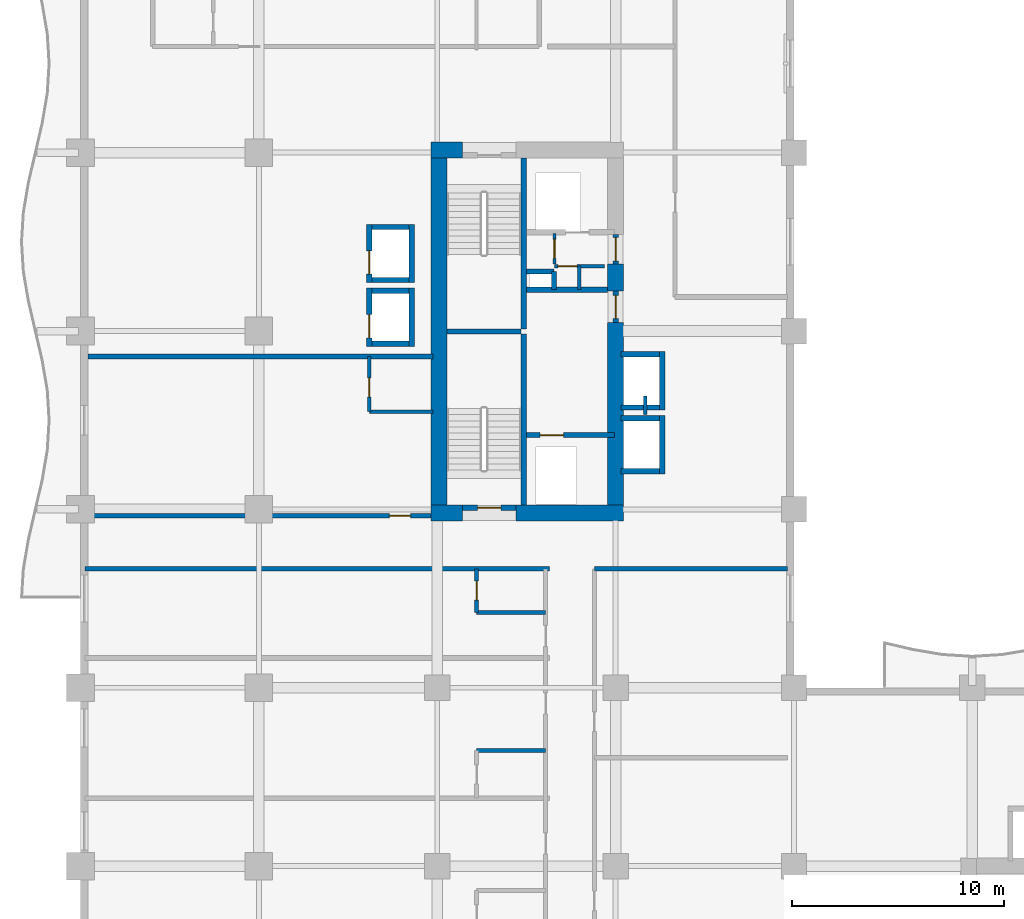
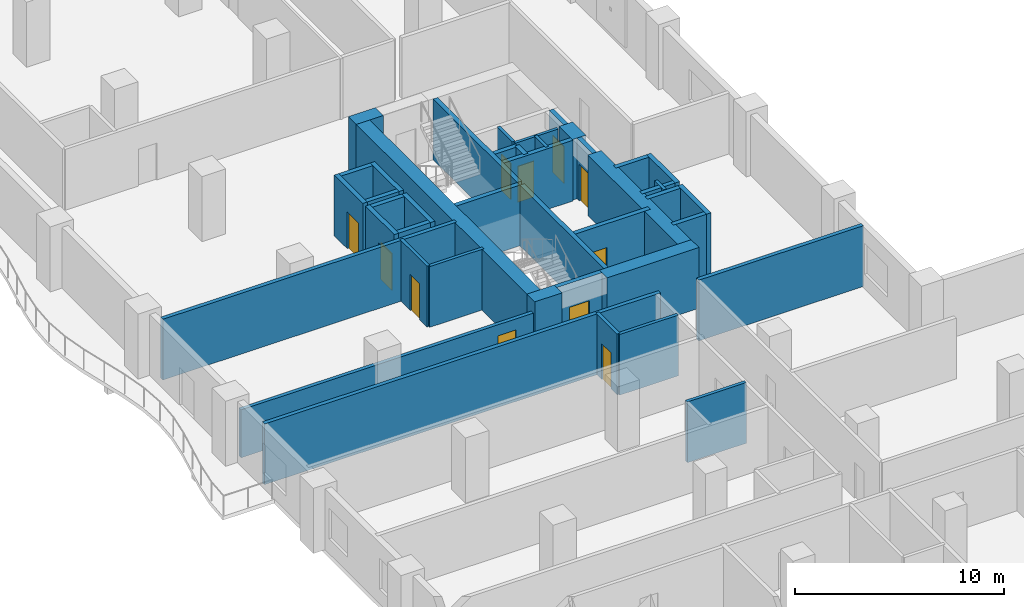
# One storey, part 11 of 21: 43 walls, 11 doors, 11 openings.
"""IFC4 building model written with IfcOpenShell, lengths in metres."""

from ifc_helpers import new_model, si_unit, direction, frame, frame_2d, origin, place, context, subcontext, project, spatial, rectangle, extrude, material, layer, layer_set, type_object, element, fill, save


model = new_model("IFC4")

# Units and contexts
model_context = context("Model", 3, precision=1e-05, world=origin(), true_north=direction((0.0, 1.0)))
body_context = subcontext(model_context, "Body", "Model", "MODEL_VIEW")
ifc_project = project(units=[si_unit("LENGTHUNIT", "METRE"), si_unit("AREAUNIT", "SQUARE_METRE"), si_unit("VOLUMEUNIT", "CUBIC_METRE"), si_unit("PLANEANGLEUNIT", "RADIAN"), si_unit("MASSUNIT", "GRAM", prefix="KILO")], contexts=[model_context])

# Site, building, storey
site_placement = place(None, origin())
site = spatial("IfcSite", under=ifc_project, at=site_placement, CompositionType="ELEMENT")
building_placement = place(site_placement, origin())
building = spatial("IfcBuilding", under=site, at=building_placement, Name="Koriwani Terraces Tower", CompositionType="ELEMENT")
storey_placement = place(building_placement, frame((0.0, 0.0, 111.39990234375)))
storey = spatial("IfcBuildingStorey", under=building, at=storey_placement, Name="L26", CompositionType="ELEMENT", Elevation=111.39990234375)

# Walls
ifc_material_1 = material(Name="Concrete C60/75", Category="concrete")
ifc_layer_1 = layer(ifc_material_1, 0.75, Name="Concrete C60/75")
ifc_layer_set_1 = layer_set([ifc_layer_1], Name="Concrete C60/75")
wall_type_1 = type_object("IfcWallType", Name="WALL_CORE_RC_750", PredefinedType="SHEAR", material=ifc_layer_set_1)
wall_1_placement = place(storey_placement, frame((16.5, 41.824951171875, 0.0), z_axis=(0.0, 0.0, 1.0), x_axis=(1.0, 0.0, 0.0)))
element("IfcWall", 1, at=wall_1_placement, inside=storey, type_object=wall_type_1, Name="L26 West Split Core Shear Wall S1", PredefinedType="SHEAR", context=body_context, shape_type="SweptSolid", body=[
    extrude(rectangle(XDim=1.5, YDim=0.75, at=frame_2d((0.75, 0.0))), origin(), (0.0, 0.0, 1.0), 3.550048828125),
])
wall_2_placement = place(storey_placement, frame((20.5, 41.824951171875, 0.0), z_axis=(0.0, 0.0, 1.0), x_axis=(1.0, 0.0, 0.0)))
element("IfcWall", 2, at=wall_2_placement, inside=storey, type_object=wall_type_1, Name="L26 West Split Core Shear Wall S2", PredefinedType="SHEAR", context=body_context, shape_type="SweptSolid", body=[
    extrude(rectangle(XDim=5.074951171875, YDim=0.75, at=frame_2d((2.53759765625, 0.0))), origin(), (0.0, 0.0, 1.0), 3.550048828125),
])
wall_3_placement = place(storey_placement, frame((16.5, 58.925048828125, 0.0), z_axis=(0.0, 0.0, 1.0), x_axis=(1.0, 0.0, 0.0)))
element("IfcWall", 3, at=wall_3_placement, inside=storey, type_object=wall_type_1, Name="L26 West Split Core Shear Wall N1", PredefinedType="SHEAR", context=body_context, shape_type="SweptSolid", body=[
    extrude(rectangle(XDim=1.5, YDim=0.75, at=frame_2d((0.75, 0.0))), origin(), (0.0, 0.0, 1.0), 3.550048828125),
])
wall_4_placement = place(storey_placement, frame((16.875, 42.199951171875, 0.0), z_axis=(0.0, 0.0, 1.0), x_axis=(0.0, 1.0, 0.0)))
element("IfcWall", 4, at=wall_4_placement, inside=storey, type_object=wall_type_1, Name="L26 West Split Core Shear Wall W1", PredefinedType="SHEAR", context=body_context, shape_type="SweptSolid", body=[
    extrude(rectangle(XDim=16.35009765625, YDim=0.75, at=frame_2d((8.175048828125, 0.0))), origin(), (0.0, 0.0, 1.0), 3.550048828125),
])
wall_5_placement = place(storey_placement, frame((25.199951171875, 42.199951171875, 0.0), z_axis=(0.0, 0.0, 1.0), x_axis=(0.0, 1.0, 0.0)))
element("IfcWall", 5, at=wall_5_placement, inside=storey, type_object=wall_type_1, Name="L26 West Split Core Shear Wall E1", PredefinedType="SHEAR", context=body_context, shape_type="SweptSolid", body=[
    extrude(rectangle(XDim=8.60009765625, YDim=0.75, at=frame_2d((4.300048828125, 0.0))), origin(), (0.0, 0.0, 1.0), 3.550048828125),
])
wall_6_placement = place(storey_placement, frame((25.199951171875, 52.280029296875, 0.0), z_axis=(0.0, 0.0, 1.0), x_axis=(0.0, 1.0, 0.0)))
element("IfcWall", 6, at=wall_6_placement, inside=storey, type_object=wall_type_1, Name="L26 West Split Core Shear Wall E2", PredefinedType="SHEAR", context=body_context, shape_type="SweptSolid", body=[
    extrude(rectangle(XDim=1.27001953125, YDim=0.75, at=frame_2d((0.635009765625, 0.0))), origin(), (0.0, 0.0, 1.0), 3.550048828125),
])

# Wall, opening, door
ifc_material_2 = material(Name="Autoclaved Cellular Concrete Blockwork", Category="masonry")
ifc_layer_2 = layer(ifc_material_2, 0.199951171875, Name="Autoclaved Cellular Concrete Blockwork")
ifc_layer_set_2 = layer_set([ifc_layer_2], Name="Autoclaved Cellular Concrete Blockwork")
wall_type_2 = type_object("IfcWallType", Name="WALL_CORRIDOR_200", PredefinedType="PARTITIONING", material=ifc_layer_set_2)
wall_7_placement = place(storey_placement, frame((0.35009765625, 41.699951171875, 0.0), z_axis=(0.0, 0.0, 1.0), x_axis=(1.0, 0.0, 0.0)))
wall_7 = element("IfcWall", 7, at=wall_7_placement, inside=storey, type_object=wall_type_2, Name="L26 Interior Wall WREC-WS-L26", PredefinedType="PARTITIONING", context=body_context, shape_type="SweptSolid", body=[
    extrude(rectangle(XDim=16.25, YDim=0.199951171875, at=frame_2d((8.125, 0.0))), origin(), (0.0, 0.0, 1.0), 2.800048828125),
])
opening_1_placement = place(wall_7_placement, frame((14.199951171875, 0.0, 0.0)))
opening_1 = element("IfcOpeningElement", 8, at=opening_1_placement, cuts=wall_7, Name="Opening D-05", PredefinedType="OPENING", context=body_context, shape_type="SweptSolid", body=[
    extrude(rectangle(XDim=1.0, YDim=2.14990234375, at=frame_2d((0.5, 1.074951171875))), frame((0.0, 0.10986328125, 0.0), z_axis=(0.0, -1.0, 0.0), x_axis=(1.0, 0.0, 0.0)), (0.0, 0.0, 1.0), 0.219970703125),
])
ifc_material_3 = material(Name="Architectural Oak Fire Door", Category="wood")
door_type_1 = type_object("IfcDoorType", Name="DOOR_SUITE_ENTRY_1000X2150", OperationType="NOTDEFINED", PredefinedType="DOOR", material=ifc_material_3)
door_1_placement = place(opening_1_placement, origin())
door_1 = element("IfcDoor", 9, at=door_1_placement, inside=storey, type_object=door_type_1, Name="L26 Reclaimed West Suite Door", OperationType="SINGLE_SWING_RIGHT", OverallHeight=2.14990234375, OverallWidth=1.0, PredefinedType="DOOR", context=body_context, shape_type="SweptSolid", body=[
    extrude(rectangle(XDim=1.0, YDim=2.14990234375, at=frame_2d((0.5, 1.074951171875))), frame((0.0, 0.02490234375, 0.0), z_axis=(0.0, -1.0, 0.0), x_axis=(1.0, 0.0, 0.0)), (0.0, 0.0, 1.0), 0.050048828125),
])
fill(opening_1, door_1)

# Walls
ifc_layer_3 = layer(ifc_material_2, 0.219970703125, Name="Autoclaved Cellular Concrete Blockwork")
ifc_layer_set_3 = layer_set([ifc_layer_3], Name="Autoclaved Cellular Concrete Blockwork")
wall_type_3 = type_object("IfcWallType", Name="WALL_DEMISING_220", PredefinedType="PARTITIONING", material=ifc_layer_set_3)
wall_8_placement = place(storey_placement, frame((0.35009765625, 49.199951171875, 0.0), z_axis=(0.0, 0.0, 1.0), x_axis=(1.0, 0.0, 0.0)))
element("IfcWall", 10, at=wall_8_placement, inside=storey, type_object=wall_type_3, Name="L26 Interior Wall WREC-WN-L26", PredefinedType="PARTITIONING", context=body_context, shape_type="SweptSolid", body=[
    extrude(rectangle(XDim=16.25, YDim=0.219970703125, at=frame_2d((8.125, 0.0))), origin(), (0.0, 0.0, 1.0), 3.550048828125),
])
wall_9_placement = place(storey_placement, frame((24.199951171875, 39.199951171875, 0.0), z_axis=(0.0, 0.0, 1.0), x_axis=(1.0, 0.0, 0.0)))
element("IfcWall", 11, at=wall_9_placement, inside=storey, type_object=wall_type_3, Name="L26 Interior Wall WIC2-N-L26", PredefinedType="PARTITIONING", context=body_context, shape_type="SweptSolid", body=[
    extrude(rectangle(XDim=9.10009765625, YDim=0.219970703125, at=frame_2d((4.550048828125, 0.0))), origin(), (0.0, 0.0, 1.0), 3.550048828125),
])
wall_10_placement = place(storey_placement, frame((0.199951171875, 39.199951171875, 0.0), z_axis=(0.0, 0.0, 1.0), x_axis=(1.0, 0.0, 0.0)))
element("IfcWall", 12, at=wall_10_placement, inside=storey, type_object=wall_type_3, Name="L26 Interior Wall WDEME-L26-NW", PredefinedType="PARTITIONING", context=body_context, shape_type="SweptSolid", body=[
    extrude(rectangle(XDim=21.880126953125, YDim=0.219970703125, at=frame_2d((10.93994140625, 0.0))), origin(), (0.0, 0.0, 1.0), 3.550048828125),
])
ifc_material_4 = material(Name="Fire-Rated Acoustic Gypsum Partition", Category="masonry")
ifc_layer_4 = layer(ifc_material_4, 0.179931640625, Name="Fire-Rated Acoustic Gypsum Partition")
ifc_layer_set_4 = layer_set([ifc_layer_4], Name="Fire-Rated Acoustic Gypsum Partition")
wall_type_4 = type_object("IfcWallType", Name="WALL_PLUMBING_180", PredefinedType="PLUMBINGWALL", material=ifc_layer_set_4)
wall_11_placement = place(storey_placement, frame((13.60009765625, 46.60009765625, 0.0), z_axis=(0.0, 0.0, 1.0), x_axis=(1.0, 0.0, 0.0)))
element("IfcWall", 13, at=wall_11_placement, inside=storey, type_object=wall_type_4, Name="L26 Interior Wall WREC-WB1-L26", PredefinedType="PLUMBINGWALL", context=body_context, shape_type="SweptSolid", body=[
    extrude(rectangle(XDim=3.0, YDim=0.179931640625, at=frame_2d((1.5, 0.0))), origin(), (0.0, 0.0, 1.0), 3.550048828125),
])

# Wall, opening, door
wall_12_placement = place(storey_placement, frame((13.60009765625, 46.60009765625, 0.0), z_axis=(0.0, 0.0, 1.0), x_axis=(0.0, 1.0, 0.0)))
wall_12 = element("IfcWall", 14, at=wall_12_placement, inside=storey, type_object=wall_type_4, Name="L26 Interior Wall WREC-WB2-L26", PredefinedType="PLUMBINGWALL", context=body_context, shape_type="SweptSolid", body=[
    extrude(rectangle(XDim=2.599853515625, YDim=0.179931640625, at=frame_2d((1.2998046875, 0.0))), origin(), (0.0, 0.0, 1.0), 3.550048828125),
])
opening_2_placement = place(wall_12_placement, frame((0.699951171875, 0.0, 0.0)))
opening_2 = element("IfcOpeningElement", 15, at=opening_2_placement, cuts=wall_12, Name="Opening D-07", PredefinedType="OPENING", context=body_context, shape_type="SweptSolid", body=[
    extrude(rectangle(XDim=0.89990234375, YDim=2.10009765625, at=frame_2d((0.449951171875, 1.050048828125))), frame((0.0, 0.10009765625, 0.0), z_axis=(0.0, -1.0, 0.0), x_axis=(1.0, 0.0, 0.0)), (0.0, 0.0, 1.0), 0.199951171875),
])
door_type_2 = type_object("IfcDoorType", Name="DOOR_BATH_INT_900X2100", OperationType="NOTDEFINED", PredefinedType="DOOR", material=ifc_material_3)
door_2_placement = place(opening_2_placement, origin())
door_2 = element("IfcDoor", 16, at=door_2_placement, inside=storey, type_object=door_type_2, Name="L26 Reclaimed Suite En-Suite Door", OperationType="SINGLE_SWING_LEFT", OverallHeight=2.10009765625, OverallWidth=0.89990234375, PredefinedType="DOOR", context=body_context, shape_type="SweptSolid", body=[
    extrude(rectangle(XDim=0.89990234375, YDim=2.10009765625, at=frame_2d((0.449951171875, 1.050048828125))), frame((0.0, 0.02490234375, 0.0), z_axis=(0.0, -1.0, 0.0), x_axis=(1.0, 0.0, 0.0)), (0.0, 0.0, 1.0), 0.050048828125),
])
fill(opening_2, door_2)

# Wall
wall_13_placement = place(storey_placement, frame((18.64990234375, 30.64990234375, 0.0), z_axis=(0.0, 0.0, 1.0), x_axis=(1.0, 0.0, 0.0)))
element("IfcWall", 17, at=wall_13_placement, inside=storey, type_object=wall_type_4, Name="L26 Interior Wall WBTH2-L26-NW-1", PredefinedType="PLUMBINGWALL", context=body_context, shape_type="SweptSolid", body=[
    extrude(rectangle(XDim=3.25, YDim=0.179931640625, at=frame_2d((1.625, 0.0))), origin(), (0.0, 0.0, 1.0), 3.550048828125),
])

# Wall, opening, door
wall_14_placement = place(storey_placement, frame((18.64990234375, 37.14990234375, 0.0), z_axis=(0.0, 0.0, 1.0), x_axis=(0.0, 1.0, 0.0)))
wall_14 = element("IfcWall", 18, at=wall_14_placement, inside=storey, type_object=wall_type_4, Name="L26 Interior Wall WBTH1-L26-NW-2", PredefinedType="PLUMBINGWALL", context=body_context, shape_type="SweptSolid", body=[
    extrude(rectangle(XDim=2.050048828125, YDim=0.179931640625, at=frame_2d((1.02490234375, 0.0))), origin(), (0.0, 0.0, 1.0), 3.550048828125),
])
opening_3_placement = place(wall_14_placement, frame((0.574951171875, 0.0, 0.0)))
opening_3 = element("IfcOpeningElement", 19, at=opening_3_placement, cuts=wall_14, Name="Opening D-07", PredefinedType="OPENING", context=body_context, shape_type="SweptSolid", body=[
    extrude(rectangle(XDim=0.89990234375, YDim=2.10009765625, at=frame_2d((0.449951171875, 1.050048828125))), frame((0.0, 0.10009765625, 0.0), z_axis=(0.0, -1.0, 0.0), x_axis=(1.0, 0.0, 0.0)), (0.0, 0.0, 1.0), 0.199951171875),
])
door_3_placement = place(opening_3_placement, origin())
door_3 = element("IfcDoor", 20, at=door_3_placement, inside=storey, type_object=door_type_2, Name="En-Suite Bathroom 26NW3 Door", OperationType="SINGLE_SWING_LEFT", OverallHeight=2.10009765625, OverallWidth=0.89990234375, PredefinedType="DOOR", context=body_context, shape_type="SweptSolid", body=[
    extrude(rectangle(XDim=0.89990234375, YDim=2.10009765625, at=frame_2d((0.449951171875, 1.050048828125))), frame((0.0, 0.02490234375, 0.0), z_axis=(0.0, -1.0, 0.0), x_axis=(1.0, 0.0, 0.0)), (0.0, 0.0, 1.0), 0.050048828125),
])
fill(opening_3, door_3)

# Walls
wall_15_placement = place(storey_placement, frame((18.64990234375, 37.14990234375, 0.0), z_axis=(0.0, 0.0, 1.0), x_axis=(1.0, 0.0, 0.0)))
element("IfcWall", 21, at=wall_15_placement, inside=storey, type_object=wall_type_4, Name="L26 Interior Wall WBTH2-L26-NW-2", PredefinedType="PLUMBINGWALL", context=body_context, shape_type="SweptSolid", body=[
    extrude(rectangle(XDim=3.25, YDim=0.179931640625, at=frame_2d((1.625, 0.0))), origin(), (0.0, 0.0, 1.0), 3.550048828125),
])
ifc_material_5 = material(Name="Concrete C40/50", Category="concrete")
ifc_layer_5 = layer(ifc_material_5, 0.25, Name="Concrete C40/50")
ifc_layer_set_5 = layer_set([ifc_layer_5], Name="Concrete C40/50")
wall_type_5 = type_object("IfcWallType", Name="WALL_SHAFT_RATED_250", PredefinedType="SOLIDWALL", material=ifc_layer_set_5)
for number, where, z_axis, x_axis, name in (
    (22, (20.875, 42.199951171875, 0.0), (0.0, 0.0, 1.0), (0.0, 1.0, 0.0), "L26 West Split Core Web Wall MID1"),
    (23, (20.875, 50.5, 0.0), (0.0, 0.0, 1.0), (0.0, 1.0, 0.0), "L26 West Split Core Web Wall MID2"),
):
    element("IfcWall", number, at=place(storey_placement, frame(where, z_axis=z_axis, x_axis=x_axis)), inside=storey, type_object=wall_type_5, Name=name, PredefinedType="SOLIDWALL", context=body_context, shape_type="SweptSolid", body=[
        extrude(rectangle(XDim=8.050048828125, YDim=0.25, at=frame_2d((4.02490234375, 0.0))), origin(), (0.0, 0.0, 1.0), 3.550048828125),
    ])
wall_16_placement = place(storey_placement, frame((17.25, 50.375, 0.0), z_axis=(0.0, 0.0, 1.0), x_axis=(1.0, 0.0, 0.0)))
element("IfcWall", 24, at=wall_16_placement, inside=storey, type_object=wall_type_5, Name="L26 West Split Core Stair Dividing Wall", PredefinedType="SOLIDWALL", context=body_context, shape_type="SweptSolid", body=[
    extrude(rectangle(XDim=3.5, YDim=0.25, at=frame_2d((1.75, 0.0))), origin(), (0.0, 0.0, 1.0), 3.550048828125),
])

# Wall, opening, door
wall_17_placement = place(storey_placement, frame((18.0, 42.074951171875, 0.0), z_axis=(0.0, 0.0, 1.0), x_axis=(1.0, 0.0, 0.0)))
wall_17 = element("IfcWall", 25, at=wall_17_placement, inside=storey, type_object=wall_type_5, Name="L26 Interior Wall WIN-CW-L26-STS", PredefinedType="SOLIDWALL", context=body_context, shape_type="SweptSolid", body=[
    extrude(rectangle(XDim=2.5, YDim=0.25, at=frame_2d((1.25, 0.0))), origin(), (0.0, 0.0, 1.0), 3.550048828125),
])
opening_4_placement = place(wall_17_placement, frame((0.699951171875, 0.0, 0.0)))
opening_4 = element("IfcOpeningElement", 26, at=opening_4_placement, cuts=wall_17, Name="Opening D-03", PredefinedType="OPENING", context=body_context, shape_type="SweptSolid", body=[
    extrude(rectangle(XDim=1.10009765625, YDim=2.14990234375, at=frame_2d((0.550048828125, 1.074951171875))), frame((0.0, 0.135009765625, 0.0), z_axis=(0.0, -1.0, 0.0), x_axis=(1.0, 0.0, 0.0)), (0.0, 0.0, 1.0), 0.27001953125),
])
ifc_material_6 = material(Name="Steel ASTM A572 Grade 50", Category="steel")
door_type_3 = type_object("IfcDoorType", Name="DOOR_STAIR_FIRE_1100X2150", OperationType="NOTDEFINED", PredefinedType="DOOR", material=ifc_material_6)
door_4_placement = place(opening_4_placement, origin())
door_4 = element("IfcDoor", 27, at=door_4_placement, inside=storey, type_object=door_type_3, Name="L26 Exit Stair ST-W1 Door", OperationType="SINGLE_SWING_RIGHT", OverallHeight=2.14990234375, OverallWidth=1.10009765625, PredefinedType="DOOR", context=body_context, shape_type="SweptSolid", body=[
    extrude(rectangle(XDim=1.10009765625, YDim=2.14990234375, at=frame_2d((0.550048828125, 1.074951171875))), frame((0.0, 0.02490234375, 0.0), z_axis=(0.0, -1.0, 0.0), x_axis=(1.0, 0.0, 0.0)), (0.0, 0.0, 1.0), 0.050048828125),
])
fill(opening_4, door_4)

wall_18_placement = place(storey_placement, frame((21.0, 45.5, 0.0), z_axis=(0.0, 0.0, 1.0), x_axis=(1.0, 0.0, 0.0)))
wall_18 = element("IfcWall", 28, at=wall_18_placement, inside=storey, type_object=wall_type_5, Name="L26 Interior Wall WIN-CW-L26-FE", PredefinedType="SOLIDWALL", context=body_context, shape_type="SweptSolid", body=[
    extrude(rectangle(XDim=4.14990234375, YDim=0.25, at=frame_2d((2.074951171875, 0.0))), origin(), (0.0, 0.0, 1.0), 3.550048828125),
])
opening_5_placement = place(wall_18_placement, frame((0.64990234375, 0.0, 0.0)))
opening_5 = element("IfcOpeningElement", 29, at=opening_5_placement, cuts=wall_18, Name="Opening LD-01", PredefinedType="OPENING", context=body_context, shape_type="SweptSolid", body=[
    extrude(rectangle(XDim=1.10009765625, YDim=2.14990234375, at=frame_2d((0.550048828125, 1.074951171875))), frame((0.0, 0.135009765625, 0.0), z_axis=(0.0, -1.0, 0.0), x_axis=(1.0, 0.0, 0.0)), (0.0, 0.0, 1.0), 0.27001953125),
])
door_type_4 = type_object("IfcDoorType", Name="DOOR_LIFT_LANDING_1100X2200", OperationType="NOTDEFINED", PredefinedType="DOOR", material=ifc_material_6)
door_5_placement = place(opening_5_placement, origin())
door_5 = element("IfcDoor", 30, at=door_5_placement, inside=storey, type_object=door_type_4, Name="L26 Firefighting Lift FE-01 Landing Door", OperationType="SLIDING_TO_LEFT", OverallHeight=2.14990234375, OverallWidth=1.10009765625, PredefinedType="DOOR", context=body_context, shape_type="SweptSolid", body=[
    extrude(rectangle(XDim=1.10009765625, YDim=2.14990234375, at=frame_2d((0.550048828125, 1.074951171875))), frame((0.0, 0.02490234375, 0.0), z_axis=(0.0, -1.0, 0.0), x_axis=(1.0, 0.0, 0.0)), (0.0, 0.0, 1.0), 0.050048828125),
])
fill(opening_5, door_5)

wall_19_placement = place(storey_placement, frame((25.199951171875, 50.800048828125, 0.0), z_axis=(0.0, 0.0, 1.0), x_axis=(0.0, 1.0, 0.0)))
wall_19 = element("IfcWall", 31, at=wall_19_placement, inside=storey, type_object=wall_type_5, Name="L26 Interior Wall WIN-CW-L26-EP", PredefinedType="SOLIDWALL", context=body_context, shape_type="SweptSolid", body=[
    extrude(rectangle(XDim=1.47998046875, YDim=0.25, at=frame_2d((0.739990234375, 0.0))), origin(), (0.0, 0.0, 1.0), 3.550048828125),
])
opening_6_placement = place(wall_19_placement, frame((0.179931640625, 0.0, 0.0)))
opening_6 = element("IfcOpeningElement", 32, at=opening_6_placement, cuts=wall_19, Name="Opening D-03", PredefinedType="OPENING", context=body_context, shape_type="SweptSolid", body=[
    extrude(rectangle(XDim=1.10009765625, YDim=2.14990234375, at=frame_2d((0.550048828125, 1.074951171875))), frame((0.0, 0.135009765625, 0.0), z_axis=(0.0, -1.0, 0.0), x_axis=(1.0, 0.0, 0.0)), (0.0, 0.0, 1.0), 0.27001953125),
])
door_6_placement = place(opening_6_placement, origin())
door_6 = element("IfcDoor", 33, at=door_6_placement, inside=storey, type_object=door_type_3, Name="L26 West Firefighting Lobby Door", OperationType="SINGLE_SWING_RIGHT", OverallHeight=2.14990234375, OverallWidth=1.10009765625, PredefinedType="DOOR", context=body_context, shape_type="SweptSolid", body=[
    extrude(rectangle(XDim=1.10009765625, YDim=2.14990234375, at=frame_2d((0.550048828125, 1.074951171875))), frame((0.0, 0.02490234375, 0.0), z_axis=(0.0, -1.0, 0.0), x_axis=(1.0, 0.0, 0.0)), (0.0, 0.0, 1.0), 0.050048828125),
])
fill(opening_6, door_6)

# Wall
wall_20_placement = place(storey_placement, frame((21.0, 52.340087890625, 0.0), z_axis=(0.0, 0.0, 1.0), x_axis=(1.0, 0.0, 0.0)))
element("IfcWall", 34, at=wall_20_placement, inside=storey, type_object=wall_type_5, Name="L26 Interior Wall WIN-CW-L26-FFN", PredefinedType="SOLIDWALL", context=body_context, shape_type="SweptSolid", body=[
    extrude(rectangle(XDim=3.824951171875, YDim=0.25, at=frame_2d((1.91259765625, 0.0))), origin(), (0.0, 0.0, 1.0), 3.550048828125),
])

# Wall, opening, door
wall_21_placement = place(storey_placement, frame((25.199951171875, 53.550048828125, 0.0), z_axis=(0.0, 0.0, 1.0), x_axis=(0.0, 1.0, 0.0)))
wall_21 = element("IfcWall", 35, at=wall_21_placement, inside=storey, type_object=wall_type_5, Name="L26 Interior Wall WIN-CW-L26-EP2", PredefinedType="SOLIDWALL", context=body_context, shape_type="SweptSolid", body=[
    extrude(rectangle(XDim=1.39990234375, YDim=0.25, at=frame_2d((0.699951171875, 0.0))), origin(), (0.0, 0.0, 1.0), 3.550048828125),
])
opening_7_placement = place(wall_21_placement, frame((0.14990234375, 0.0, 0.0)))
opening_7 = element("IfcOpeningElement", 36, at=opening_7_placement, cuts=wall_21, Name="Opening D-03", PredefinedType="OPENING", context=body_context, shape_type="SweptSolid", body=[
    extrude(rectangle(XDim=1.10009765625, YDim=2.14990234375, at=frame_2d((0.550048828125, 1.074951171875))), frame((0.0, 0.135009765625, 0.0), z_axis=(0.0, -1.0, 0.0), x_axis=(1.0, 0.0, 0.0)), (0.0, 0.0, 1.0), 0.27001953125),
])
door_7_placement = place(opening_7_placement, origin())
door_7 = element("IfcDoor", 37, at=door_7_placement, inside=storey, type_object=door_type_3, Name="L26 West Goods Lift Lobby Door", OperationType="SINGLE_SWING_LEFT", OverallHeight=2.14990234375, OverallWidth=1.10009765625, PredefinedType="DOOR", context=body_context, shape_type="SweptSolid", body=[
    extrude(rectangle(XDim=1.10009765625, YDim=2.14990234375, at=frame_2d((0.550048828125, 1.074951171875))), frame((0.0, 0.02490234375, 0.0), z_axis=(0.0, -1.0, 0.0), x_axis=(1.0, 0.0, 0.0)), (0.0, 0.0, 1.0), 0.050048828125),
])
fill(opening_7, door_7)

# Walls
wall_22_placement = place(storey_placement, frame((21.0, 53.199951171875, 0.0), z_axis=(0.0, 0.0, 1.0), x_axis=(1.0, 0.0, 0.0)))
element("IfcWall", 38, at=wall_22_placement, inside=storey, type_object=wall_type_5, Name="L26 Interior Wall WIN-CW-L26-RS1", PredefinedType="SOLIDWALL", context=body_context, shape_type="SweptSolid", body=[
    extrude(rectangle(XDim=1.300048828125, YDim=0.25, at=frame_2d((0.64990234375, 0.0))), origin(), (0.0, 0.0, 1.0), 3.550048828125),
])
wall_23_placement = place(storey_placement, frame((22.300048828125, 52.360107421875, 0.0), z_axis=(0.0, 0.0, 1.0), x_axis=(0.0, 1.0, 0.0)))
element("IfcWall", 39, at=wall_23_placement, inside=storey, type_object=wall_type_5, Name="L26 Interior Wall WIN-CW-L26-RS2", PredefinedType="SOLIDWALL", context=body_context, shape_type="SweptSolid", body=[
    extrude(rectangle(XDim=0.83984375, YDim=0.25, at=frame_2d((0.419921875, 0.0))), origin(), (0.0, 0.0, 1.0), 3.550048828125),
])

# Wall, opening, door
wall_24_placement = place(storey_placement, frame((13.60009765625, 49.675048828125, 0.0), z_axis=(0.0, 0.0, 1.0), x_axis=(0.0, 1.0, 0.0)))
wall_24 = element("IfcWall", 40, at=wall_24_placement, inside=storey, type_object=wall_type_5, Name="L26 Interior Wall WIN-LF-PE-M1-L26-F", PredefinedType="SOLIDWALL", context=body_context, shape_type="SweptSolid", body=[
    extrude(rectangle(XDim=2.75, YDim=0.25, at=frame_2d((1.375, 0.0))), origin(), (0.0, 0.0, 1.0), 3.550048828125),
])
opening_8_placement = place(wall_24_placement, frame((0.39990234375, 0.0, 0.0)))
opening_8 = element("IfcOpeningElement", 41, at=opening_8_placement, cuts=wall_24, Name="Opening LD-01", PredefinedType="OPENING", context=body_context, shape_type="SweptSolid", body=[
    extrude(rectangle(XDim=1.10009765625, YDim=2.14990234375, at=frame_2d((0.550048828125, 1.074951171875))), frame((0.0, 0.135009765625, 0.0), z_axis=(0.0, -1.0, 0.0), x_axis=(1.0, 0.0, 0.0)), (0.0, 0.0, 1.0), 0.27001953125),
])
door_8_placement = place(opening_8_placement, origin())
door_8 = element("IfcDoor", 42, at=door_8_placement, inside=storey, type_object=door_type_4, Name="L26 Passenger Lift PE-M1 Landing Door", OperationType="SLIDING_TO_LEFT", OverallHeight=2.14990234375, OverallWidth=1.10009765625, PredefinedType="DOOR", context=body_context, shape_type="SweptSolid", body=[
    extrude(rectangle(XDim=1.10009765625, YDim=2.14990234375, at=frame_2d((0.550048828125, 1.074951171875))), frame((0.0, 0.02490234375, 0.0), z_axis=(0.0, -1.0, 0.0), x_axis=(1.0, 0.0, 0.0)), (0.0, 0.0, 1.0), 0.050048828125),
])
fill(opening_8, door_8)

# Walls
wall_25_placement = place(storey_placement, frame((15.60009765625, 49.675048828125, 0.0), z_axis=(0.0, 0.0, 1.0), x_axis=(0.0, 1.0, 0.0)))
element("IfcWall", 43, at=wall_25_placement, inside=storey, type_object=wall_type_5, Name="L26 Interior Wall WIN-LF-PE-M1-L26-B", PredefinedType="SOLIDWALL", context=body_context, shape_type="SweptSolid", body=[
    extrude(rectangle(XDim=2.75, YDim=0.25, at=frame_2d((1.375, 0.0))), origin(), (0.0, 0.0, 1.0), 3.550048828125),
])
for number, where, z_axis, x_axis, name in (
    (44, (13.72509765625, 49.800048828125, 0.0), (0.0, 0.0, 1.0), (1.0, 0.0, 0.0), "L26 Interior Wall WIN-LF-PE-M1-L26-S"),
    (45, (13.72509765625, 52.300048828125, 0.0), (0.0, 0.0, 1.0), (1.0, 0.0, 0.0), "L26 Interior Wall WIN-LF-PE-M1-L26-N"),
):
    element("IfcWall", number, at=place(storey_placement, frame(where, z_axis=z_axis, x_axis=x_axis)), inside=storey, type_object=wall_type_5, Name=name, PredefinedType="SOLIDWALL", context=body_context, shape_type="SweptSolid", body=[
        extrude(rectangle(XDim=1.75, YDim=0.25, at=frame_2d((0.875, 0.0))), origin(), (0.0, 0.0, 1.0), 3.550048828125),
    ])

# Wall, opening, door
wall_26_placement = place(storey_placement, frame((13.60009765625, 52.675048828125, 0.0), z_axis=(0.0, 0.0, 1.0), x_axis=(0.0, 1.0, 0.0)))
wall_26 = element("IfcWall", 46, at=wall_26_placement, inside=storey, type_object=wall_type_5, Name="L26 Interior Wall WIN-LF-PE-M2-L26-F", PredefinedType="SOLIDWALL", context=body_context, shape_type="SweptSolid", body=[
    extrude(rectangle(XDim=2.75, YDim=0.25, at=frame_2d((1.375, 0.0))), origin(), (0.0, 0.0, 1.0), 3.550048828125),
])
opening_9_placement = place(wall_26_placement, frame((0.39990234375, 0.0, 0.0)))
opening_9 = element("IfcOpeningElement", 47, at=opening_9_placement, cuts=wall_26, Name="Opening LD-01", PredefinedType="OPENING", context=body_context, shape_type="SweptSolid", body=[
    extrude(rectangle(XDim=1.10009765625, YDim=2.14990234375, at=frame_2d((0.550048828125, 1.074951171875))), frame((0.0, 0.135009765625, 0.0), z_axis=(0.0, -1.0, 0.0), x_axis=(1.0, 0.0, 0.0)), (0.0, 0.0, 1.0), 0.27001953125),
])
door_9_placement = place(opening_9_placement, origin())
door_9 = element("IfcDoor", 48, at=door_9_placement, inside=storey, type_object=door_type_4, Name="L26 Passenger Lift PE-M2 Landing Door", OperationType="SLIDING_TO_LEFT", OverallHeight=2.14990234375, OverallWidth=1.10009765625, PredefinedType="DOOR", context=body_context, shape_type="SweptSolid", body=[
    extrude(rectangle(XDim=1.10009765625, YDim=2.14990234375, at=frame_2d((0.550048828125, 1.074951171875))), frame((0.0, 0.02490234375, 0.0), z_axis=(0.0, -1.0, 0.0), x_axis=(1.0, 0.0, 0.0)), (0.0, 0.0, 1.0), 0.050048828125),
])
fill(opening_9, door_9)

# Walls
wall_27_placement = place(storey_placement, frame((15.60009765625, 52.675048828125, 0.0), z_axis=(0.0, 0.0, 1.0), x_axis=(0.0, 1.0, 0.0)))
element("IfcWall", 49, at=wall_27_placement, inside=storey, type_object=wall_type_5, Name="L26 Interior Wall WIN-LF-PE-M2-L26-B", PredefinedType="SOLIDWALL", context=body_context, shape_type="SweptSolid", body=[
    extrude(rectangle(XDim=2.75, YDim=0.25, at=frame_2d((1.375, 0.0))), origin(), (0.0, 0.0, 1.0), 3.550048828125),
])
for number, where, z_axis, x_axis, name in (
    (50, (13.72509765625, 52.800048828125, 0.0), (0.0, 0.0, 1.0), (1.0, 0.0, 0.0), "L26 Interior Wall WIN-LF-PE-M2-L26-S"),
    (51, (13.72509765625, 55.300048828125, 0.0), (0.0, 0.0, 1.0), (1.0, 0.0, 0.0), "L26 Interior Wall WIN-LF-PE-M2-L26-N"),
):
    element("IfcWall", number, at=place(storey_placement, frame(where, z_axis=z_axis, x_axis=x_axis)), inside=storey, type_object=wall_type_5, Name=name, PredefinedType="SOLIDWALL", context=body_context, shape_type="SweptSolid", body=[
        extrude(rectangle(XDim=1.75, YDim=0.25, at=frame_2d((0.875, 0.0))), origin(), (0.0, 0.0, 1.0), 3.550048828125),
    ])
wall_28_placement = place(storey_placement, frame((27.39990234375, 43.675048828125, 0.0), z_axis=(0.0, 0.0, 1.0), x_axis=(0.0, 1.0, 0.0)))
element("IfcWall", 52, at=wall_28_placement, inside=storey, type_object=wall_type_5, Name="L26 Interior Wall WIN-LF-PE-H1-L26-F", PredefinedType="SOLIDWALL", context=body_context, shape_type="SweptSolid", body=[
    extrude(rectangle(XDim=2.75, YDim=0.25, at=frame_2d((1.375, 0.0))), origin(), (0.0, 0.0, 1.0), 3.550048828125),
])
for number, where, z_axis, x_axis, name in (
    (53, (25.449951171875, 43.800048828125, 0.0), (0.0, 0.0, 1.0), (1.0, 0.0, 0.0), "L26 Interior Wall WIN-LF-PE-H1-L26-S"),
    (54, (25.449951171875, 46.300048828125, 0.0), (0.0, 0.0, 1.0), (1.0, 0.0, 0.0), "L26 Interior Wall WIN-LF-PE-H1-L26-N"),
):
    element("IfcWall", number, at=place(storey_placement, frame(where, z_axis=z_axis, x_axis=x_axis)), inside=storey, type_object=wall_type_5, Name=name, PredefinedType="SOLIDWALL", context=body_context, shape_type="SweptSolid", body=[
        extrude(rectangle(XDim=1.824951171875, YDim=0.25, at=frame_2d((0.91259765625, 0.0))), origin(), (0.0, 0.0, 1.0), 3.550048828125),
    ])
wall_29_placement = place(storey_placement, frame((27.39990234375, 46.675048828125, 0.0), z_axis=(0.0, 0.0, 1.0), x_axis=(0.0, 1.0, 0.0)))
element("IfcWall", 55, at=wall_29_placement, inside=storey, type_object=wall_type_5, Name="L26 Interior Wall WIN-LF-PE-H2-L26-F", PredefinedType="SOLIDWALL", context=body_context, shape_type="SweptSolid", body=[
    extrude(rectangle(XDim=2.75, YDim=0.25, at=frame_2d((1.375, 0.0))), origin(), (0.0, 0.0, 1.0), 3.550048828125),
])
for number, where, z_axis, x_axis, name in (
    (56, (25.449951171875, 46.800048828125, 0.0), (0.0, 0.0, 1.0), (1.0, 0.0, 0.0), "L26 Interior Wall WIN-LF-PE-H2-L26-S"),
    (57, (25.449951171875, 49.300048828125, 0.0), (0.0, 0.0, 1.0), (1.0, 0.0, 0.0), "L26 Interior Wall WIN-LF-PE-H2-L26-N"),
):
    element("IfcWall", number, at=place(storey_placement, frame(where, z_axis=z_axis, x_axis=x_axis)), inside=storey, type_object=wall_type_5, Name=name, PredefinedType="SOLIDWALL", context=body_context, shape_type="SweptSolid", body=[
        extrude(rectangle(XDim=1.824951171875, YDim=0.25, at=frame_2d((0.91259765625, 0.0))), origin(), (0.0, 0.0, 1.0), 3.550048828125),
    ])

# Wall, opening, door
ifc_layer_6 = layer(ifc_material_4, 0.159912109375, Name="Fire-Rated Acoustic Gypsum Partition")
ifc_layer_set_6 = layer_set([ifc_layer_6], Name="Fire-Rated Acoustic Gypsum Partition")
wall_type_6 = type_object("IfcWallType", Name="WALL_SUITE_160", PredefinedType="PARTITIONING", material=ifc_layer_set_6)
wall_30_placement = place(storey_placement, frame((22.320068359375, 53.56005859375, 0.0), z_axis=(0.0, 0.0, 1.0), x_axis=(0.0, 1.0, 0.0)))
wall_30 = element("IfcWall", 58, at=wall_30_placement, inside=storey, type_object=wall_type_6, Name="L26 Interior Wall WIN-CW-L26-SV2A", PredefinedType="PARTITIONING", context=body_context, shape_type="SweptSolid", body=[
    extrude(rectangle(XDim=1.43994140625, YDim=0.159912109375, at=frame_2d((0.719970703125, 0.0))), origin(), (0.0, 0.0, 1.0), 3.550048828125),
])
opening_10_placement = place(wall_30_placement, frame((0.260009765625, 0.0, 0.0)))
opening_10 = element("IfcOpeningElement", 59, at=opening_10_placement, cuts=wall_30, Name="Opening D-07", PredefinedType="OPENING", context=body_context, shape_type="SweptSolid", body=[
    extrude(rectangle(XDim=0.89990234375, YDim=2.10009765625, at=frame_2d((0.449951171875, 1.050048828125))), frame((0.0, 0.08984375, 0.0), z_axis=(0.0, -1.0, 0.0), x_axis=(1.0, 0.0, 0.0)), (0.0, 0.0, 1.0), 0.179931640625),
])
door_10_placement = place(opening_10_placement, origin())
door_10 = element("IfcDoor", 60, at=door_10_placement, inside=storey, type_object=door_type_2, Name="L26 West Meter Room Door", OperationType="SINGLE_SWING_RIGHT", OverallHeight=2.10009765625, OverallWidth=0.89990234375, PredefinedType="DOOR", context=body_context, shape_type="SweptSolid", body=[
    extrude(rectangle(XDim=0.89990234375, YDim=2.10009765625, at=frame_2d((0.449951171875, 1.050048828125))), frame((0.0, 0.02490234375, 0.0), z_axis=(0.0, -1.0, 0.0), x_axis=(1.0, 0.0, 0.0)), (0.0, 0.0, 1.0), 0.050048828125),
])
fill(opening_10, door_10)

wall_31_placement = place(storey_placement, frame((22.320068359375, 53.4599609375, 0.0), z_axis=(0.0, 0.0, 1.0), x_axis=(1.0, 0.0, 0.0)))
wall_31 = element("IfcWall", 61, at=wall_31_placement, inside=storey, type_object=wall_type_6, Name="L26 Interior Wall WIN-CW-L26-SV2H", PredefinedType="PARTITIONING", context=body_context, shape_type="SweptSolid", body=[
    extrude(rectangle(XDim=2.35986328125, YDim=0.159912109375, at=frame_2d((1.179931640625, 0.0))), origin(), (0.0, 0.0, 1.0), 3.550048828125),
])
opening_11_placement = place(wall_31_placement, frame((0.159912109375, 0.0, 0.0)))
opening_11 = element("IfcOpeningElement", 62, at=opening_11_placement, cuts=wall_31, Name="Opening D-07", PredefinedType="OPENING", context=body_context, shape_type="SweptSolid", body=[
    extrude(rectangle(XDim=0.89990234375, YDim=2.10009765625, at=frame_2d((0.449951171875, 1.050048828125))), frame((0.0, 0.08984375, 0.0), z_axis=(0.0, -1.0, 0.0), x_axis=(1.0, 0.0, 0.0)), (0.0, 0.0, 1.0), 0.179931640625),
])
door_11_placement = place(opening_11_placement, origin())
door_11 = element("IfcDoor", 63, at=door_11_placement, inside=storey, type_object=door_type_2, Name="L26 West Valve Room Door", OperationType="SINGLE_SWING_LEFT", OverallHeight=2.10009765625, OverallWidth=0.89990234375, PredefinedType="DOOR", context=body_context, shape_type="SweptSolid", body=[
    extrude(rectangle(XDim=0.89990234375, YDim=2.10009765625, at=frame_2d((0.449951171875, 1.050048828125))), frame((0.0, 0.02490234375, 0.0), z_axis=(0.0, -1.0, 0.0), x_axis=(1.0, 0.0, 0.0)), (0.0, 0.0, 1.0), 0.050048828125),
])
fill(opening_11, door_11)

# Walls
wall_32_placement = place(storey_placement, frame((23.47998046875, 52.360107421875, 0.0), z_axis=(0.0, 0.0, 1.0), x_axis=(0.0, 1.0, 0.0)))
element("IfcWall", 64, at=wall_32_placement, inside=storey, type_object=wall_type_6, Name="L26 Interior Wall WIN-CW-L26-SV2V", PredefinedType="PARTITIONING", context=body_context, shape_type="SweptSolid", body=[
    extrude(rectangle(XDim=1.099853515625, YDim=0.159912109375, at=frame_2d((0.5498046875, 0.0))), origin(), (0.0, 0.0, 1.0), 3.550048828125),
])
wall_33_placement = place(storey_placement, frame((26.60009765625, 46.4599609375, 0.0), z_axis=(0.0, 0.0, 1.0), x_axis=(0.0, 1.0, 0.0)))
element("IfcWall", 65, at=wall_33_placement, inside=storey, type_object=wall_type_6, Name="L26 Interior Wall WIN-LF-PEH12-MID-L26", PredefinedType="PARTITIONING", context=body_context, shape_type="SweptSolid", body=[
    extrude(rectangle(XDim=0.880126953125, YDim=0.159912109375, at=frame_2d((0.43994140625, 0.0))), origin(), (0.0, 0.0, 1.0), 3.550048828125),
])

save(model, "model.ifc")
